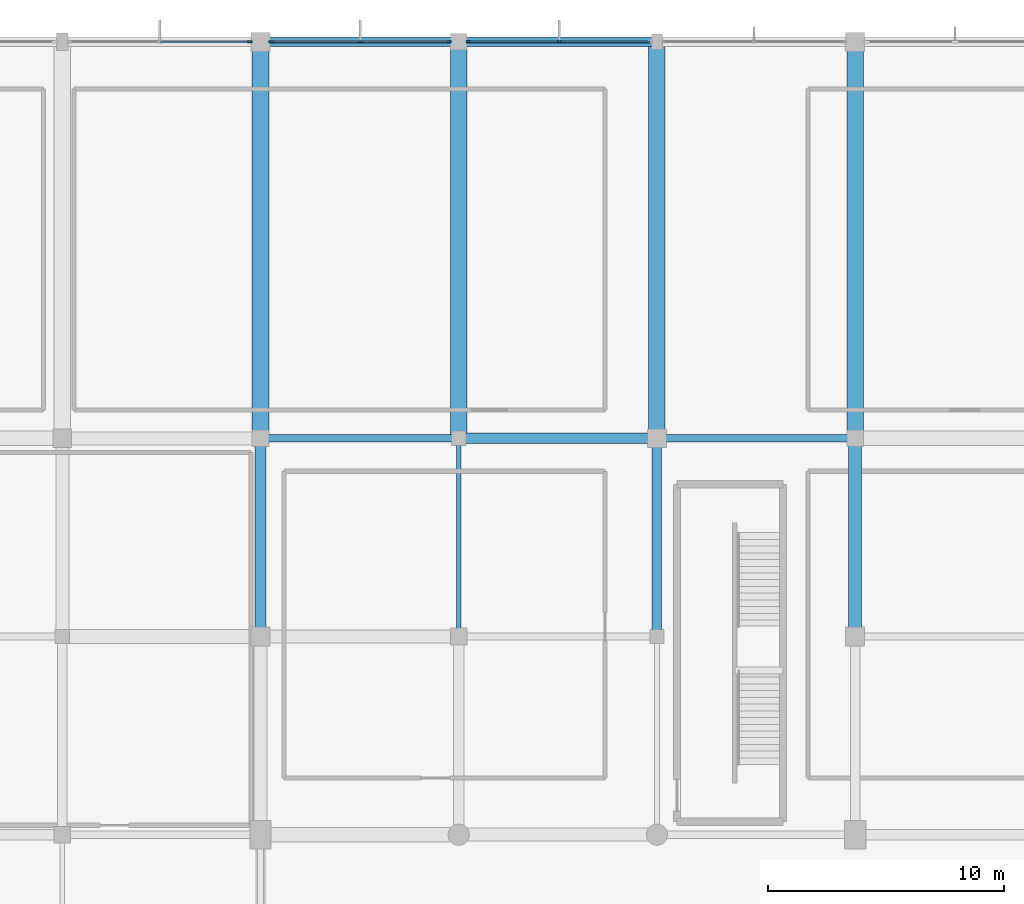
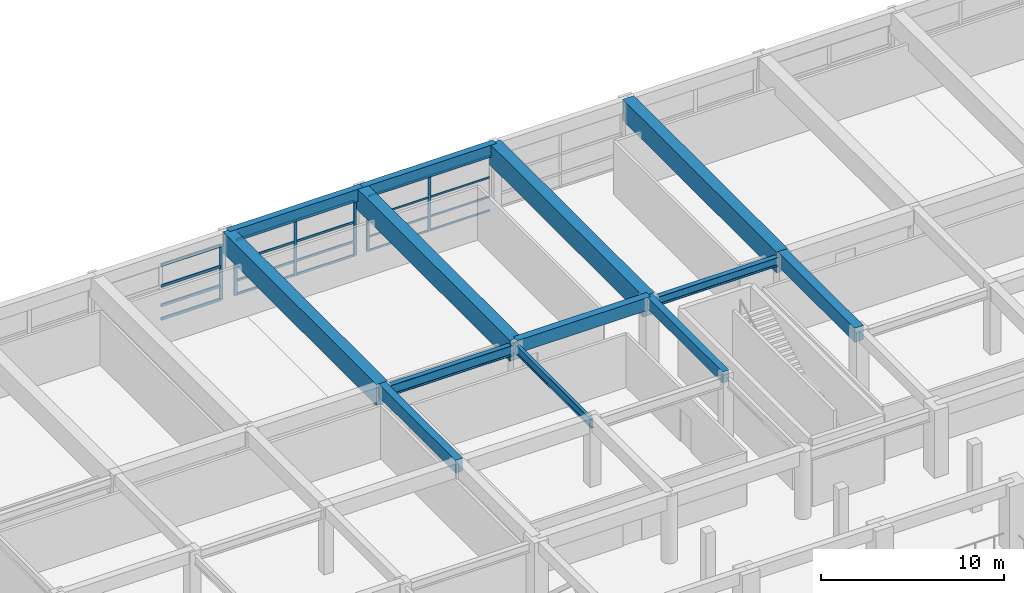
# One storey, part 29 of 65: 26 members, 13 beams, 3 elements without a shape of their own.
"""IFC4 building model written with IfcOpenShell, lengths in metres."""

import ifcopenshell
import ifcopenshell.guid

model = None  # the IFC model being written
_history = None  # IfcOwnerHistory: only IFC2X3 demands one
_inside = {}  # id of a spatial element -> (the spatial element, [elements in it])
_under = {}  # id of a project, library or spatial element -> (it, [spatial elements below it])
_declared = {}  # id of a project -> (the project, [libraries it declares])
_typed = {}  # id of a type object -> (the type object, [elements of that type])
_made_of = {}  # id of a material, layer set ... -> (it, [elements and type objects made of it])


def new_model(schema):
    """Start an empty IFC model of exactly this schema.

    Asked for "IFC4X3", IfcOpenShell would pick the latest addendum, in which some entities
    have other attributes; the version numbers below select the first issue.
    IFC2X3 requires an IfcOwnerHistory on every rooted entity: one is made here for all.
    """
    global model, _history
    if schema == "IFC4X3":
        model = ifcopenshell.file(schema_version=(4, 3, 0, 0))
    else:
        model = ifcopenshell.file(schema=schema)
    _inside.clear()
    _under.clear()
    _declared.clear()
    _typed.clear()
    _made_of.clear()
    _history = None
    if model.schema == "IFC2X3":
        org = make("IfcOrganization", Name="unknown")
        user = make(
            "IfcPersonAndOrganization",
            ThePerson=make("IfcPerson", FamilyName="unknown"),
            TheOrganization=org,
        )
        app = make(
            "IfcApplication",
            ApplicationDeveloper=org,
            Version="unknown",
            ApplicationFullName="unknown",
            ApplicationIdentifier="unknown",
        )
        _history = make(
            "IfcOwnerHistory",
            OwningUser=user,
            OwningApplication=app,
            ChangeAction="ADDED",
            CreationDate=0,
        )
    return model


def make(cls, **values):
    """One entity of the class cls with the attributes given. An attribute that is None is left unset."""
    return model.create_entity(
        cls, **{name: value for name, value in values.items() if value is not None}
    )


def rooted(cls, **values):
    """An entity with a GlobalId (a new one), such as an element, a storey or a relation."""
    return make(cls, GlobalId=ifcopenshell.guid.new(), OwnerHistory=_history, **values)


def si_unit(unit_type, name, prefix=None):
    """IfcSIUnit, for example si_unit("LENGTHUNIT", "METRE", prefix="MILLI")."""
    return make("IfcSIUnit", UnitType=unit_type, Prefix=prefix, Name=name)


def assignment(units):
    """IfcUnitAssignment: the units of a project."""
    return None if units is None else make("IfcUnitAssignment", Units=units)


def point(xyz):
    """IfcCartesianPoint."""
    return None if xyz is None else make("IfcCartesianPoint", Coordinates=xyz)


def direction(xyz):
    """IfcDirection."""
    return None if xyz is None else make("IfcDirection", DirectionRatios=xyz)


def frame(location, z_axis=None, x_axis=None):
    """IfcAxis2Placement3D, a coordinate frame: its origin and axes. An axis left out is left unset."""
    return make(
        "IfcAxis2Placement3D",
        Location=point(location),
        Axis=direction(z_axis),
        RefDirection=direction(x_axis),
    )


def frame_2d(location, x_axis=None):
    """IfcAxis2Placement2D, a coordinate frame in the plane: its origin and x axis."""
    return make(
        "IfcAxis2Placement2D", Location=point(location), RefDirection=direction(x_axis)
    )


def origin():
    """The frame at (0, 0, 0) with its axes left unset."""
    return frame((0.0, 0.0, 0.0))


def origin_2d():
    """The frame at (0, 0) in the plane with its x axis left unset."""
    return frame_2d((0.0, 0.0))


def place(relative_to, where):
    """IfcLocalPlacement: puts the frame where relative to a parent placement (None: the world)."""
    return make(
        "IfcLocalPlacement", PlacementRelTo=relative_to, RelativePlacement=where
    )


def context(
    kind, dimensions, precision=None, world=None, true_north=None, identifier=None
):
    """IfcGeometricRepresentationContext, for example the 3D "Model" context."""
    return make(
        "IfcGeometricRepresentationContext",
        ContextIdentifier=identifier,
        ContextType=kind,
        CoordinateSpaceDimension=dimensions,
        Precision=precision,
        WorldCoordinateSystem=world,
        TrueNorth=true_north,
    )


def subcontext(parent, identifier, kind, view, scale=None):
    """IfcGeometricRepresentationSubContext, for example "Body" below "Model"."""
    return make(
        "IfcGeometricRepresentationSubContext",
        ContextIdentifier=identifier,
        ContextType=kind,
        ParentContext=parent,
        TargetScale=scale,
        TargetView=view,
    )


def project(units=None, contexts=None):
    """IfcProject with its units and contexts."""
    return rooted(
        "IfcProject",
        Name="project",
        RepresentationContexts=contexts,
        UnitsInContext=assignment(units),
    )


def spatial(cls, under=None, at=None, **own):
    """A site, building, storey or space (cls), placed at a placement, below another one or the project."""
    s = rooted(cls, ObjectPlacement=at, **own)
    if under is not None:
        _under.setdefault(under.id(), (under, []))[1].append(s)
    return s


def profile(cls, at=None, kind="AREA", **sizes):
    """A parametric profile (cls). Its sizes go by their IFC names, for example OverallWidth=200.0."""
    return make(cls, ProfileType=kind, Position=at, **sizes)


def rectangle(**sizes):
    """IfcRectangleProfileDef."""
    return profile("IfcRectangleProfileDef", **sizes)


def i_section(**sizes):
    """IfcIShapeProfileDef."""
    return profile("IfcIShapeProfileDef", **sizes)


def extrude(swept, where, along, depth):
    """IfcExtrudedAreaSolid: the profile swept, set in the frame where, extruded along a direction by depth."""
    return make(
        "IfcExtrudedAreaSolid",
        SweptArea=swept,
        Position=where,
        ExtrudedDirection=direction(along),
        Depth=depth,
    )


def shape(context_of_items, identifier, shape_type, items):
    """IfcShapeRepresentation: the items that make up one representation, for example the "Body"."""
    return make(
        "IfcShapeRepresentation",
        ContextOfItems=context_of_items,
        RepresentationIdentifier=identifier,
        RepresentationType=shape_type,
        Items=items,
    )


def material(Name=None, Category=None):
    """IfcMaterial."""
    return make("IfcMaterial", Name=Name, Category=Category)


def material_profile(
    of_material, cross_section, Name=None, Category=None, Priority=None
):
    """IfcMaterialProfile: a cross section and its material."""
    return make(
        "IfcMaterialProfile",
        Name=Name,
        Material=of_material,
        Profile=cross_section,
        Priority=Priority,
        Category=Category,
    )


def profile_set(profiles, Name=None, composite=None):
    """IfcMaterialProfileSet."""
    return make(
        "IfcMaterialProfileSet",
        Name=Name,
        MaterialProfiles=profiles,
        CompositeProfile=composite,
    )


def made_of(thing, what):
    """Note that an element or type object is made of a material, layer set ...; save() writes the relation."""
    if what is not None:
        _made_of.setdefault(what.id(), (what, []))[1].append(thing)
    return thing


def type_object(cls, material=None, **own):
    """A type object (cls), such as IfcWallType, which elements share."""
    return made_of(rooted(cls, **own), material)


def element(
    cls,
    number,
    at=None,
    inside=None,
    cuts=None,
    type_object=None,
    material=None,
    context=None,
    identifier="Body",
    shape_type=None,
    held_by="IfcProductDefinitionShape",
    body=None,
    shapes=None,
    **own,
):
    """One element of the class cls, such as IfcWall. Its Tag is "e" and its number.

    at: its placement. inside: the storey or other place that contains it. cuts: it is an
    opening in that element (IfcRelVoidsElement). A single representation is given by context,
    identifier, shape_type and body (its items); several are given by shapes. held_by: the class
    of the entity that holds the representations. save() writes the other relations.
    """
    e = rooted(cls, Tag="e%d" % number, ObjectPlacement=at, **own)
    if body is not None:
        shapes = [shape(context, identifier, shape_type, body)]
    if shapes is not None:
        e.Representation = make(held_by, Representations=shapes)
    if inside is not None:
        _inside.setdefault(inside.id(), (inside, []))[1].append(e)
    if cuts is not None:
        rooted(
            "IfcRelVoidsElement", RelatingBuildingElement=cuts, RelatedOpeningElement=e
        )
    if type_object is not None:
        _typed.setdefault(type_object.id(), (type_object, []))[1].append(e)
    return made_of(e, material)


def aggregate(whole, parts):
    """IfcRelAggregates: a whole, such as a stair, and the parts it consists of."""
    return rooted("IfcRelAggregates", RelatingObject=whole, RelatedObjects=parts)


def save(model, path):
    """Write the relations noted so far, then the file.

    IfcRelAggregates (storeys below a building ...), IfcRelContainedInSpatialStructure (elements
    in a storey), IfcRelDefinesByType, IfcRelAssociatesMaterial and IfcRelDeclares: one each for
    every whole, place, type object, material and project.
    """
    for whole, parts in _under.values():
        aggregate(whole, parts)
    for where, things in _inside.values():
        rooted(
            "IfcRelContainedInSpatialStructure",
            RelatedElements=things,
            RelatingStructure=where,
        )
    for kind, things in _typed.values():
        rooted("IfcRelDefinesByType", RelatedObjects=things, RelatingType=kind)
    for what, things in _made_of.values():
        rooted("IfcRelAssociatesMaterial", RelatedObjects=things, RelatingMaterial=what)
    for by, libraries in _declared.values():
        rooted("IfcRelDeclares", RelatingContext=by, RelatedDefinitions=libraries)
    model.write(path)


model = new_model("IFC4")

# Units and contexts
model_context = context("Model", 3, precision=1e-05, world=origin(), true_north=direction((0.0, 1.0)))
body_context = subcontext(model_context, "Body", "Model", "MODEL_VIEW")
ifc_project = project(units=[si_unit("LENGTHUNIT", "METRE"), si_unit("AREAUNIT", "SQUARE_METRE"), si_unit("VOLUMEUNIT", "CUBIC_METRE"), si_unit("PLANEANGLEUNIT", "RADIAN"), si_unit("MASSUNIT", "GRAM", prefix="KILO")], contexts=[model_context])

# Site, building, storey
site_placement = place(None, origin())
site = spatial("IfcSite", under=ifc_project, at=site_placement, CompositionType="ELEMENT")
building_placement = place(site_placement, origin())
building = spatial("IfcBuilding", under=site, at=building_placement, Name="Xuanlan Plaza Opera House", CompositionType="ELEMENT")
storey_placement = place(building_placement, frame((0.0, 0.0, 5.39990234375)))
storey = spatial("IfcBuildingStorey", under=building, at=storey_placement, Name="L01", CompositionType="ELEMENT", Elevation=5.39990234375)

# Curtain wall, members
ifc_material_1 = material(Name="Anodised Aluminium 6063-T6 and Low-E Glass", Category="aluminium")
curtain_wall_type_1 = type_object("IfcCurtainWallType", Name="ENV-CW-CW-06", PredefinedType="USERDEFINED", material=ifc_material_1)
curtain_wall_1_placement = place(storey_placement, origin())
curtain_wall_1 = element("IfcCurtainWall", 1, at=curtain_wall_1_placement, inside=storey, type_object=curtain_wall_type_1, Name="Acoustic Glazed Wall L01-039", ObjectType="ACOUSTIC GLAZED WALL", PredefinedType="USERDEFINED")
ifc_material_2 = material(Name="Anodised Aluminium 6063-T6", Category="aluminium")
ifc_material_profile_1 = material_profile(ifc_material_2, rectangle(XDim=0.070068359375, YDim=0.179931640625, at=origin_2d()), Name="ALU-M 70x180")
ifc_profile_set_1 = profile_set([ifc_material_profile_1], Name="Anodised Aluminium 6063-T6")
member_type_1 = type_object("IfcMemberType", Name="ENV-CWM-02", PredefinedType="MULLION", material=ifc_profile_set_1)
member_1_placement = place(storey_placement, frame((79.862548828125, 117.60009765625, 0.0), z_axis=(0.0, 0.0, 1.0), x_axis=(0.0, -1.0, 0.0)))
member_1 = element("IfcMember", 2, at=member_1_placement, type_object=member_type_1, Name="CW-06 mullion 2", PredefinedType="MULLION", context=body_context, shape_type="SweptSolid", body=[
    extrude(rectangle(XDim=0.070068359375, YDim=0.179931640625, at=origin_2d()), origin(), (0.0, 0.0, 1.0), 3.68017578125),
])
member_2_placement = place(storey_placement, frame((76.0048828125, 117.60009765625, 0.0), z_axis=(0.0, 0.0, 1.0), x_axis=(0.0, -1.0, 0.0)))
member_2 = element("IfcMember", 3, at=member_2_placement, type_object=member_type_1, Name="CW-06 mullion 3", PredefinedType="MULLION", context=body_context, shape_type="SweptSolid", body=[
    extrude(rectangle(XDim=0.070068359375, YDim=0.179931640625, at=origin_2d()), origin(), (0.0, 0.0, 1.0), 3.68017578125),
])

curtain_wall_type_2 = type_object("IfcCurtainWallType", Name="ENV-CW-CW-05", PredefinedType="USERDEFINED", material=ifc_material_1)
curtain_wall_2_placement = place(storey_placement, origin())
curtain_wall_2 = element("IfcCurtainWall", 4, at=curtain_wall_2_placement, inside=storey, type_object=curtain_wall_type_2, Name="Acoustic Glazed Wall L01-040", ObjectType="ACOUSTIC GLAZED WALL", PredefinedType="USERDEFINED")
ifc_material_profile_2 = material_profile(ifc_material_2, rectangle(XDim=0.074951171875, YDim=0.199951171875, at=origin_2d()), Name="ALU-M 75x200")
ifc_profile_set_2 = profile_set([ifc_material_profile_2], Name="Anodised Aluminium 6063-T6")
member_type_2 = type_object("IfcMemberType", Name="ENV-CWM-03", PredefinedType="MULLION", material=ifc_profile_set_2)
member_3_placement = place(storey_placement, frame((75.1923828125, 117.60009765625, 0.0), z_axis=(0.0, 0.0, 1.0), x_axis=(0.0, -1.0, 0.0)))
member_3 = element("IfcMember", 5, at=member_3_placement, type_object=member_type_2, Name="CW-05 mullion 1", PredefinedType="MULLION", context=body_context, shape_type="SweptSolid", body=[
    extrude(rectangle(XDim=0.074951171875, YDim=0.199951171875, at=origin_2d()), origin(), (0.0, 0.0, 1.0), 3.68017578125),
])
member_4_placement = place(storey_placement, frame((71.425048828125, 117.60009765625, 0.0), z_axis=(0.0, 0.0, 1.0), x_axis=(0.0, -1.0, 0.0)))
member_4 = element("IfcMember", 6, at=member_4_placement, type_object=member_type_2, Name="CW-05 mullion 2", PredefinedType="MULLION", context=body_context, shape_type="SweptSolid", body=[
    extrude(rectangle(XDim=0.074951171875, YDim=0.199951171875, at=origin_2d()), origin(), (0.0, 0.0, 1.0), 3.68017578125),
])
member_5_placement = place(storey_placement, frame((67.657470703125, 117.60009765625, 0.0), z_axis=(0.0, 0.0, 1.0), x_axis=(0.0, -1.0, 0.0)))
member_5 = element("IfcMember", 7, at=member_5_placement, type_object=member_type_2, Name="CW-05 mullion 3", PredefinedType="MULLION", context=body_context, shape_type="SweptSolid", body=[
    extrude(rectangle(XDim=0.074951171875, YDim=0.199951171875, at=origin_2d()), origin(), (0.0, 0.0, 1.0), 3.68017578125),
])

# Curtain wall, member
curtain_wall_3_placement = place(storey_placement, origin())
curtain_wall_3 = element("IfcCurtainWall", 8, at=curtain_wall_3_placement, inside=storey, type_object=curtain_wall_type_1, Name="Acoustic Glazed Wall L01-041", ObjectType="ACOUSTIC GLAZED WALL", PredefinedType="USERDEFINED")
ifc_material_profile_3 = material_profile(ifc_material_2, rectangle(XDim=0.080078125, YDim=0.219970703125, at=origin_2d()), Name="ALU-M 80x220")
ifc_profile_set_3 = profile_set([ifc_material_profile_3], Name="Anodised Aluminium 6063-T6")
member_type_3 = type_object("IfcMemberType", Name="ENV-CWM-04", PredefinedType="MULLION", material=ifc_profile_set_3)
member_6_placement = place(storey_placement, frame((66.739990234375, 117.60009765625, 0.0), z_axis=(0.0, 0.0, 1.0), x_axis=(0.0, -1.0, 0.0)))
member_6 = element("IfcMember", 9, at=member_6_placement, type_object=member_type_3, Name="CW-06 mullion 1", PredefinedType="MULLION", context=body_context, shape_type="SweptSolid", body=[
    extrude(rectangle(XDim=0.080078125, YDim=0.219970703125, at=origin_2d()), origin(), (0.0, 0.0, 1.0), 3.68017578125),
])

# Member
ifc_material_profile_4 = material_profile(ifc_material_2, rectangle(XDim=0.06494140625, YDim=0.1201171875, at=origin_2d()), Name="ALU-T 65x120")
ifc_profile_set_4 = profile_set([ifc_material_profile_4], Name="Anodised Aluminium 6063-T6")
member_type_4 = type_object("IfcMemberType", Name="ENV-CWT-01", PredefinedType="USERDEFINED", material=ifc_profile_set_4)
member_7_placement = place(storey_placement, frame((83.68505859375, 117.60009765625, 0.03271484375), z_axis=(-1.0, 0.0, 0.0), x_axis=(0.0, -1.0, 0.0)))
member_7 = element("IfcMember", 10, at=member_7_placement, type_object=member_type_4, Name="CW-06 transom 1.1", ObjectType="TRANSOM", PredefinedType="USERDEFINED", context=body_context, shape_type="SweptSolid", body=[
    extrude(rectangle(XDim=0.06494140625, YDim=0.1201171875, at=origin_2d()), origin(), (0.0, 0.0, 1.0), 3.78759765625),
])

member_8_placement = place(storey_placement, frame((83.68505859375, 117.60009765625, 0.9501953125), z_axis=(-1.0, 0.0, 0.0), x_axis=(0.0, -1.0, 0.0)))
member_8 = element("IfcMember", 11, at=member_8_placement, type_object=member_type_4, Name="CW-06 transom 1.2", ObjectType="TRANSOM", PredefinedType="USERDEFINED", context=body_context, shape_type="SweptSolid", body=[
    extrude(rectangle(XDim=0.06494140625, YDim=0.1201171875, at=origin_2d()), origin(), (0.0, 0.0, 1.0), 3.78759765625),
])

member_9_placement = place(storey_placement, frame((83.68505859375, 117.60009765625, 2.25), z_axis=(-1.0, 0.0, 0.0), x_axis=(0.0, -1.0, 0.0)))
member_9 = element("IfcMember", 12, at=member_9_placement, type_object=member_type_4, Name="CW-06 transom 1.3", ObjectType="TRANSOM", PredefinedType="USERDEFINED", context=body_context, shape_type="SweptSolid", body=[
    extrude(rectangle(XDim=0.06494140625, YDim=0.1201171875, at=origin_2d()), origin(), (0.0, 0.0, 1.0), 3.78759765625),
])

member_10_placement = place(storey_placement, frame((83.68505859375, 117.60009765625, 3.647705078125), z_axis=(-1.0, 0.0, 0.0), x_axis=(0.0, -1.0, 0.0)))
member_10 = element("IfcMember", 13, at=member_10_placement, type_object=member_type_4, Name="CW-06 transom 1.4", ObjectType="TRANSOM", PredefinedType="USERDEFINED", context=body_context, shape_type="SweptSolid", body=[
    extrude(rectangle(XDim=0.06494140625, YDim=0.1201171875, at=origin_2d()), origin(), (0.0, 0.0, 1.0), 3.78759765625),
])

member_11_placement = place(storey_placement, frame((79.827392578125, 117.60009765625, 0.03271484375), z_axis=(-1.0, 0.0, 0.0), x_axis=(0.0, -1.0, 0.0)))
member_11 = element("IfcMember", 14, at=member_11_placement, type_object=member_type_4, Name="CW-06 transom 2.1", ObjectType="TRANSOM", PredefinedType="USERDEFINED", context=body_context, shape_type="SweptSolid", body=[
    extrude(rectangle(XDim=0.06494140625, YDim=0.1201171875, at=origin_2d()), origin(), (0.0, 0.0, 1.0), 3.787353515625),
])

member_12_placement = place(storey_placement, frame((79.827392578125, 117.60009765625, 0.9501953125), z_axis=(-1.0, 0.0, 0.0), x_axis=(0.0, -1.0, 0.0)))
member_12 = element("IfcMember", 15, at=member_12_placement, type_object=member_type_4, Name="CW-06 transom 2.2", ObjectType="TRANSOM", PredefinedType="USERDEFINED", context=body_context, shape_type="SweptSolid", body=[
    extrude(rectangle(XDim=0.06494140625, YDim=0.1201171875, at=origin_2d()), origin(), (0.0, 0.0, 1.0), 3.787353515625),
])

member_13_placement = place(storey_placement, frame((79.827392578125, 117.60009765625, 2.25), z_axis=(-1.0, 0.0, 0.0), x_axis=(0.0, -1.0, 0.0)))
member_13 = element("IfcMember", 16, at=member_13_placement, type_object=member_type_4, Name="CW-06 transom 2.3", ObjectType="TRANSOM", PredefinedType="USERDEFINED", context=body_context, shape_type="SweptSolid", body=[
    extrude(rectangle(XDim=0.06494140625, YDim=0.1201171875, at=origin_2d()), origin(), (0.0, 0.0, 1.0), 3.787353515625),
])

member_14_placement = place(storey_placement, frame((79.827392578125, 117.60009765625, 3.647705078125), z_axis=(-1.0, 0.0, 0.0), x_axis=(0.0, -1.0, 0.0)))
member_14 = element("IfcMember", 17, at=member_14_placement, type_object=member_type_4, Name="CW-06 transom 2.4", ObjectType="TRANSOM", PredefinedType="USERDEFINED", context=body_context, shape_type="SweptSolid", body=[
    extrude(rectangle(XDim=0.06494140625, YDim=0.1201171875, at=origin_2d()), origin(), (0.0, 0.0, 1.0), 3.787353515625),
])

aggregate(curtain_wall_1, [member_1, member_2, member_7, member_8, member_9, member_10, member_11, member_12, member_13, member_14])

ifc_material_profile_5 = material_profile(ifc_material_2, rectangle(XDim=0.074951171875, YDim=0.14990234375, at=origin_2d()), Name="ALU-T 75x150")
ifc_profile_set_5 = profile_set([ifc_material_profile_5], Name="Anodised Aluminium 6063-T6")
member_type_5 = type_object("IfcMemberType", Name="ENV-CWT-03", PredefinedType="USERDEFINED", material=ifc_profile_set_5)
member_15_placement = place(storey_placement, frame((75.155029296875, 117.60009765625, 0.03759765625), z_axis=(-1.0, 0.0, 0.0), x_axis=(0.0, -1.0, 0.0)))
member_15 = element("IfcMember", 18, at=member_15_placement, type_object=member_type_5, Name="CW-05 transom 1.1", ObjectType="TRANSOM", PredefinedType="USERDEFINED", context=body_context, shape_type="SweptSolid", body=[
    extrude(rectangle(XDim=0.074951171875, YDim=0.14990234375, at=origin_2d()), origin(), (0.0, 0.0, 1.0), 3.692626953125),
])

member_16_placement = place(storey_placement, frame((75.155029296875, 117.60009765625, 0.9501953125), z_axis=(-1.0, 0.0, 0.0), x_axis=(0.0, -1.0, 0.0)))
member_16 = element("IfcMember", 19, at=member_16_placement, type_object=member_type_5, Name="CW-05 transom 1.2", ObjectType="TRANSOM", PredefinedType="USERDEFINED", context=body_context, shape_type="SweptSolid", body=[
    extrude(rectangle(XDim=0.074951171875, YDim=0.14990234375, at=origin_2d()), origin(), (0.0, 0.0, 1.0), 3.692626953125),
])

member_17_placement = place(storey_placement, frame((75.155029296875, 117.60009765625, 2.25), z_axis=(-1.0, 0.0, 0.0), x_axis=(0.0, -1.0, 0.0)))
member_17 = element("IfcMember", 20, at=member_17_placement, type_object=member_type_5, Name="CW-05 transom 1.3", ObjectType="TRANSOM", PredefinedType="USERDEFINED", context=body_context, shape_type="SweptSolid", body=[
    extrude(rectangle(XDim=0.074951171875, YDim=0.14990234375, at=origin_2d()), origin(), (0.0, 0.0, 1.0), 3.692626953125),
])

member_18_placement = place(storey_placement, frame((75.155029296875, 117.60009765625, 3.642578125), z_axis=(-1.0, 0.0, 0.0), x_axis=(0.0, -1.0, 0.0)))
member_18 = element("IfcMember", 21, at=member_18_placement, type_object=member_type_5, Name="CW-05 transom 1.4", ObjectType="TRANSOM", PredefinedType="USERDEFINED", context=body_context, shape_type="SweptSolid", body=[
    extrude(rectangle(XDim=0.074951171875, YDim=0.14990234375, at=origin_2d()), origin(), (0.0, 0.0, 1.0), 3.692626953125),
])

member_19_placement = place(storey_placement, frame((71.387451171875, 117.60009765625, 0.03759765625), z_axis=(-1.0, 0.0, 0.0), x_axis=(0.0, -1.0, 0.0)))
member_19 = element("IfcMember", 22, at=member_19_placement, type_object=member_type_5, Name="CW-05 transom 2.1", ObjectType="TRANSOM", PredefinedType="USERDEFINED", context=body_context, shape_type="SweptSolid", body=[
    extrude(rectangle(XDim=0.074951171875, YDim=0.14990234375, at=origin_2d()), origin(), (0.0, 0.0, 1.0), 3.6923828125),
])

member_20_placement = place(storey_placement, frame((71.387451171875, 117.60009765625, 0.9501953125), z_axis=(-1.0, 0.0, 0.0), x_axis=(0.0, -1.0, 0.0)))
member_20 = element("IfcMember", 23, at=member_20_placement, type_object=member_type_5, Name="CW-05 transom 2.2", ObjectType="TRANSOM", PredefinedType="USERDEFINED", context=body_context, shape_type="SweptSolid", body=[
    extrude(rectangle(XDim=0.074951171875, YDim=0.14990234375, at=origin_2d()), origin(), (0.0, 0.0, 1.0), 3.6923828125),
])

member_21_placement = place(storey_placement, frame((71.387451171875, 117.60009765625, 2.25), z_axis=(-1.0, 0.0, 0.0), x_axis=(0.0, -1.0, 0.0)))
member_21 = element("IfcMember", 24, at=member_21_placement, type_object=member_type_5, Name="CW-05 transom 2.3", ObjectType="TRANSOM", PredefinedType="USERDEFINED", context=body_context, shape_type="SweptSolid", body=[
    extrude(rectangle(XDim=0.074951171875, YDim=0.14990234375, at=origin_2d()), origin(), (0.0, 0.0, 1.0), 3.6923828125),
])

member_22_placement = place(storey_placement, frame((71.387451171875, 117.60009765625, 3.642578125), z_axis=(-1.0, 0.0, 0.0), x_axis=(0.0, -1.0, 0.0)))
member_22 = element("IfcMember", 25, at=member_22_placement, type_object=member_type_5, Name="CW-05 transom 2.4", ObjectType="TRANSOM", PredefinedType="USERDEFINED", context=body_context, shape_type="SweptSolid", body=[
    extrude(rectangle(XDim=0.074951171875, YDim=0.14990234375, at=origin_2d()), origin(), (0.0, 0.0, 1.0), 3.6923828125),
])

aggregate(curtain_wall_2, [member_3, member_4, member_5, member_15, member_16, member_17, member_18, member_19, member_20, member_21, member_22])

ifc_material_profile_6 = material_profile(ifc_material_2, rectangle(XDim=0.090087890625, YDim=0.179931640625, at=origin_2d()), Name="ALU-T 90x180")
ifc_profile_set_6 = profile_set([ifc_material_profile_6], Name="Anodised Aluminium 6063-T6")
member_type_6 = type_object("IfcMemberType", Name="ENV-CWT-05", PredefinedType="USERDEFINED", material=ifc_profile_set_6)
member_23_placement = place(storey_placement, frame((66.699951171875, 117.60009765625, 0.045166015625), z_axis=(-1.0, 0.0, 0.0), x_axis=(0.0, -1.0, 0.0)))
member_23 = element("IfcMember", 26, at=member_23_placement, type_object=member_type_6, Name="CW-06 transom 1.1", ObjectType="TRANSOM", PredefinedType="USERDEFINED", context=body_context, shape_type="SweptSolid", body=[
    extrude(rectangle(XDim=0.090087890625, YDim=0.179931640625, at=origin_2d()), origin(), (0.0, 0.0, 1.0), 3.73486328125),
])

member_24_placement = place(storey_placement, frame((66.699951171875, 117.60009765625, 0.9501953125), z_axis=(-1.0, 0.0, 0.0), x_axis=(0.0, -1.0, 0.0)))
member_24 = element("IfcMember", 27, at=member_24_placement, type_object=member_type_6, Name="CW-06 transom 1.2", ObjectType="TRANSOM", PredefinedType="USERDEFINED", context=body_context, shape_type="SweptSolid", body=[
    extrude(rectangle(XDim=0.090087890625, YDim=0.179931640625, at=origin_2d()), origin(), (0.0, 0.0, 1.0), 3.73486328125),
])

member_25_placement = place(storey_placement, frame((66.699951171875, 117.60009765625, 2.25), z_axis=(-1.0, 0.0, 0.0), x_axis=(0.0, -1.0, 0.0)))
member_25 = element("IfcMember", 28, at=member_25_placement, type_object=member_type_6, Name="CW-06 transom 1.3", ObjectType="TRANSOM", PredefinedType="USERDEFINED", context=body_context, shape_type="SweptSolid", body=[
    extrude(rectangle(XDim=0.090087890625, YDim=0.179931640625, at=origin_2d()), origin(), (0.0, 0.0, 1.0), 3.73486328125),
])

member_26_placement = place(storey_placement, frame((66.699951171875, 117.60009765625, 3.635009765625), z_axis=(-1.0, 0.0, 0.0), x_axis=(0.0, -1.0, 0.0)))
member_26 = element("IfcMember", 29, at=member_26_placement, type_object=member_type_6, Name="CW-06 transom 1.4", ObjectType="TRANSOM", PredefinedType="USERDEFINED", context=body_context, shape_type="SweptSolid", body=[
    extrude(rectangle(XDim=0.090087890625, YDim=0.179931640625, at=origin_2d()), origin(), (0.0, 0.0, 1.0), 3.73486328125),
])

aggregate(curtain_wall_3, [member_6, member_23, member_24, member_25, member_26])

# Beams
ifc_material_3 = material(Name="Concrete C50", Category="concrete")
ifc_material_profile_7 = material_profile(ifc_material_3, rectangle(XDim=0.550048828125, YDim=0.949951171875, at=origin_2d()), Name="RC-BM 550x950")
ifc_profile_set_7 = profile_set([ifc_material_profile_7], Name="Concrete C50")
beam_type_1 = type_object("IfcBeamType", Name="STR-BM-B-02", PredefinedType="BEAM", material=ifc_profile_set_7)
beam_1_placement = place(storey_placement, frame((92.39990234375, 92.39990234375, 4.025146484375), z_axis=(0.0, 1.0, 0.0), x_axis=(-1.0, 0.0, 0.0)))
element("IfcBeam", 30, at=beam_1_placement, inside=storey, type_object=beam_type_1, Name="Grid Beam Y L01 12/L-M", PredefinedType="BEAM", context=body_context, shape_type="SweptSolid", body=[
    extrude(rectangle(XDim=0.550048828125, YDim=0.949951171875, at=origin_2d()), origin(), (0.0, 0.0, 1.0), 8.400146484375),
])
ifc_material_4 = material(Name="Concrete C40", Category="concrete")
ifc_material_profile_8 = material_profile(ifc_material_4, rectangle(XDim=0.449951171875, YDim=0.85009765625, at=origin_2d()), Name="RC-BM 450x850")
ifc_profile_set_8 = profile_set([ifc_material_profile_8], Name="Concrete C40")
beam_type_2 = type_object("IfcBeamType", Name="STR-BM-B-04", PredefinedType="BEAM", material=ifc_profile_set_8)
beam_2_placement = place(storey_placement, frame((75.60009765625, 100.800048828125, 4.0751953125), z_axis=(1.0, 0.0, 0.0), x_axis=(0.0, 1.0, 0.0)))
element("IfcBeam", 31, at=beam_2_placement, inside=storey, type_object=beam_type_2, Name="Grid Beam X L01 10-11/M", PredefinedType="BEAM", context=body_context, shape_type="SweptSolid", body=[
    extrude(rectangle(XDim=0.449951171875, YDim=0.85009765625, at=origin_2d()), origin(), (0.0, 0.0, 1.0), 8.39990234375),
])
beam_3_placement = place(storey_placement, frame((67.199951171875, 92.39990234375, 4.0751953125), z_axis=(0.0, 1.0, 0.0), x_axis=(-1.0, 0.0, 0.0)))
element("IfcBeam", 32, at=beam_3_placement, inside=storey, type_object=beam_type_2, Name="Grid Beam Y L01 9/L-M", PredefinedType="BEAM", context=body_context, shape_type="SweptSolid", body=[
    extrude(rectangle(XDim=0.449951171875, YDim=0.85009765625, at=origin_2d()), origin(), (0.0, 0.0, 1.0), 8.400146484375),
])
ifc_material_profile_9 = material_profile(ifc_material_4, rectangle(XDim=0.39990234375, YDim=0.75, at=origin_2d()), Name="RC-BM 400x750")
ifc_profile_set_9 = profile_set([ifc_material_profile_9], Name="Concrete C40")
beam_type_3 = type_object("IfcBeamType", Name="STR-BM-B-06", PredefinedType="BEAM", material=ifc_profile_set_9)
beam_4_placement = place(storey_placement, frame((84.0, 92.39990234375, 4.125), z_axis=(0.0, 1.0, 0.0), x_axis=(-1.0, 0.0, 0.0)))
element("IfcBeam", 33, at=beam_4_placement, inside=storey, type_object=beam_type_3, Name="Grid Beam Y L01 11/L-M", PredefinedType="BEAM", context=body_context, shape_type="SweptSolid", body=[
    extrude(rectangle(XDim=0.39990234375, YDim=0.75, at=origin_2d()), origin(), (0.0, 0.0, 1.0), 8.400146484375),
])
ifc_material_profile_10 = material_profile(ifc_material_3, rectangle(XDim=0.699951171875, YDim=1.39990234375, at=origin_2d()), Name="RC-LG 700x1400")
ifc_profile_set_10 = profile_set([ifc_material_profile_10], Name="Concrete C50")
beam_type_4 = type_object("IfcBeamType", Name="STR-BM-LG-01", PredefinedType="BEAM", material=ifc_profile_set_10)
for number, where, z_axis, x_axis, name in (
    (34, (67.199951171875, 100.800048828125, 3.800048828125), (0.0, 1.0, 0.0), (-1.0, 0.0, 0.0), "Grid Beam Y L01 9/M-O"),
    (35, (75.60009765625, 100.800048828125, 3.800048828125), (0.0, 1.0, 0.0), (-1.0, 0.0, 0.0), "Grid Beam Y L01 10/M-O"),
    (36, (84.0, 100.800048828125, 3.800048828125), (0.0, 1.0, 0.0), (-1.0, 0.0, 0.0), "Grid Beam Y L01 11/M-O"),
    (37, (92.39990234375, 100.800048828125, 3.800048828125), (0.0, 1.0, 0.0), (-1.0, 0.0, 0.0), "Grid Beam Y L01 12/M-O"),
):
    element("IfcBeam", number, at=place(storey_placement, frame(where, z_axis=z_axis, x_axis=x_axis)), inside=storey, type_object=beam_type_4, Name=name, PredefinedType="BEAM", context=body_context, shape_type="SweptSolid", body=[
        extrude(rectangle(XDim=0.699951171875, YDim=1.39990234375, at=origin_2d()), origin(), (0.0, 0.0, 1.0), 16.800048828125),
    ])
ifc_material_5 = material(Name="Steel Q355B", Category="steel")
ifc_material_profile_11 = material_profile(ifc_material_5, i_section(OverallWidth=0.300048828125, OverallDepth=0.699951171875, WebThickness=0.012939453125, FlangeThickness=0.02392578125, FilletRadius=0.02392578125, at=origin_2d()), Name="HN 700x300x13x24")
ifc_profile_set_11 = profile_set([ifc_material_profile_11], Name="Steel Q355B")
beam_type_5 = type_object("IfcBeamType", Name="STR-BM-SB-03", PredefinedType="BEAM", material=ifc_profile_set_11)
beam_5_placement = place(storey_placement, frame((67.199951171875, 100.800048828125, 3.885009765625), z_axis=(1.0, 0.0, 0.0), x_axis=(0.0, 1.0, 0.0)))
element("IfcBeam", 38, at=beam_5_placement, inside=storey, type_object=beam_type_5, Name="Grid Beam X L01 9-10/M", PredefinedType="BEAM", context=body_context, shape_type="SweptSolid", body=[
    extrude(i_section(OverallWidth=0.300048828125, OverallDepth=0.699951171875, WebThickness=0.012939453125, FlangeThickness=0.02392578125, FilletRadius=0.02392578125, at=origin_2d()), origin(), (0.0, 0.0, 1.0), 8.400146484375),
])
ifc_material_profile_12 = material_profile(ifc_material_5, i_section(OverallWidth=0.199951171875, OverallDepth=0.60009765625, WebThickness=0.010986328125, FlangeThickness=0.01708984375, FilletRadius=0.02197265625, at=origin_2d()), Name="HN 600x200x11x17")
ifc_profile_set_12 = profile_set([ifc_material_profile_12], Name="Steel Q355B")
beam_type_6 = type_object("IfcBeamType", Name="STR-BM-SB-04", PredefinedType="BEAM", material=ifc_profile_set_12)
beam_6_placement = place(storey_placement, frame((75.60009765625, 92.39990234375, 3.93505859375), z_axis=(0.0, 1.0, 0.0), x_axis=(-1.0, 0.0, 0.0)))
element("IfcBeam", 39, at=beam_6_placement, inside=storey, type_object=beam_type_6, Name="Grid Beam Y L01 10/L-M", PredefinedType="BEAM", context=body_context, shape_type="SweptSolid", body=[
    extrude(i_section(OverallWidth=0.199951171875, OverallDepth=0.60009765625, WebThickness=0.010986328125, FlangeThickness=0.01708984375, FilletRadius=0.02197265625, at=origin_2d()), origin(), (0.0, 0.0, 1.0), 8.400146484375),
])
ifc_material_profile_13 = material_profile(ifc_material_5, i_section(OverallWidth=0.300048828125, OverallDepth=0.587890625, WebThickness=0.011962890625, FlangeThickness=0.02001953125, FilletRadius=0.02392578125, at=origin_2d()), Name="HM 588x300x12x20")
ifc_profile_set_13 = profile_set([ifc_material_profile_13], Name="Steel Q355B")
beam_type_7 = type_object("IfcBeamType", Name="STR-BM-SB-06", PredefinedType="BEAM", material=ifc_profile_set_13)
beam_7_placement = place(storey_placement, frame((84.0, 100.800048828125, 3.941162109375), z_axis=(1.0, 0.0, 0.0), x_axis=(0.0, 1.0, 0.0)))
element("IfcBeam", 40, at=beam_7_placement, inside=storey, type_object=beam_type_7, Name="Grid Beam X L01 11-12/M", PredefinedType="BEAM", context=body_context, shape_type="SweptSolid", body=[
    extrude(i_section(OverallWidth=0.300048828125, OverallDepth=0.587890625, WebThickness=0.011962890625, FlangeThickness=0.02001953125, FilletRadius=0.02392578125, at=origin_2d()), origin(), (0.0, 0.0, 1.0), 8.39990234375),
])
ifc_material_profile_14 = material_profile(ifc_material_4, rectangle(XDim=0.39990234375, YDim=0.800048828125, at=origin_2d()), Name="RC-SPD 400x800")
ifc_profile_set_14 = profile_set([ifc_material_profile_14], Name="Concrete C40")
beam_type_8 = type_object("IfcBeamType", Name="STR-BM-SP-01", PredefinedType="SPANDREL", material=ifc_profile_set_14)
beam_8_placement = place(storey_placement, frame((67.199951171875, 117.60009765625, 4.10009765625), z_axis=(1.0, 0.0, 0.0), x_axis=(0.0, 1.0, 0.0)))
element("IfcBeam", 41, at=beam_8_placement, inside=storey, type_object=beam_type_8, Name="Grid Beam X L01 9-10/O", PredefinedType="SPANDREL", context=body_context, shape_type="SweptSolid", body=[
    extrude(rectangle(XDim=0.39990234375, YDim=0.800048828125, at=origin_2d()), origin(), (0.0, 0.0, 1.0), 8.400146484375),
])
beam_9_placement = place(storey_placement, frame((75.60009765625, 117.60009765625, 4.10009765625), z_axis=(1.0, 0.0, 0.0), x_axis=(0.0, 1.0, 0.0)))
element("IfcBeam", 42, at=beam_9_placement, inside=storey, type_object=beam_type_8, Name="Grid Beam X L01 10-11/O", PredefinedType="SPANDREL", context=body_context, shape_type="SweptSolid", body=[
    extrude(rectangle(XDim=0.39990234375, YDim=0.800048828125, at=origin_2d()), origin(), (0.0, 0.0, 1.0), 8.39990234375),
])

save(model, "model.ifc")
